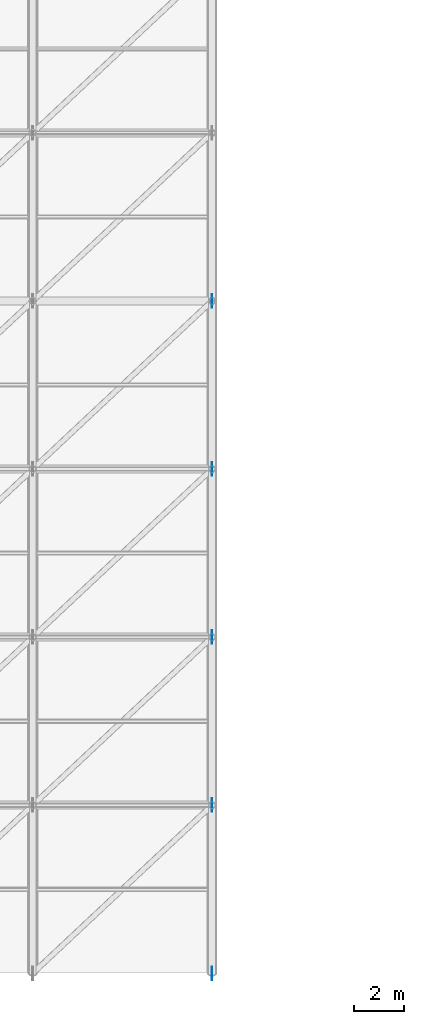
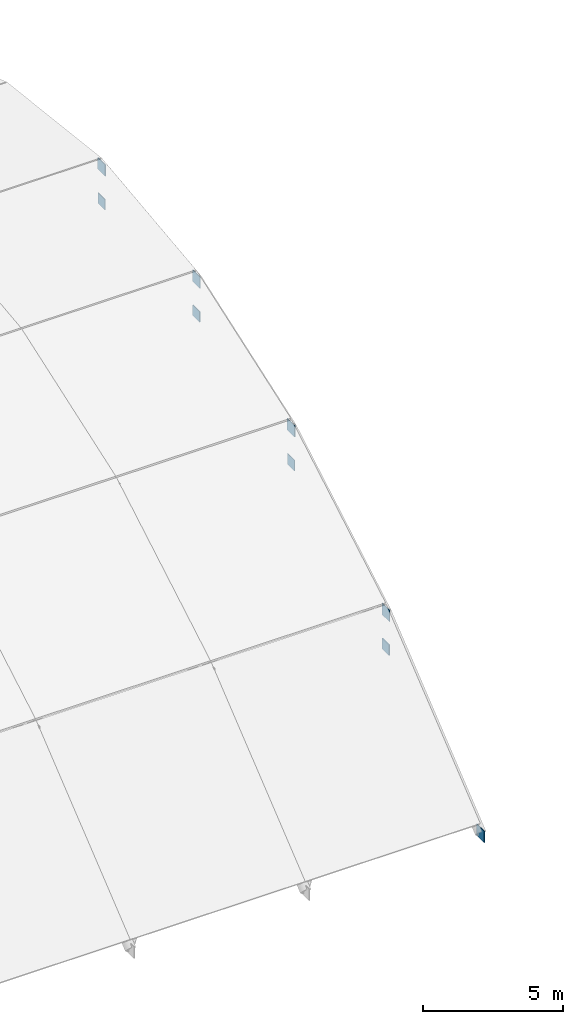
# One storey, part 62 of 72: 9 plates.
"""IFC4 building model written with IfcOpenShell, lengths in metres."""

import ifcopenshell
import ifcopenshell.guid

model = None  # the IFC model being written
_history = None  # IfcOwnerHistory: only IFC2X3 demands one
_inside = {}  # id of a spatial element -> (the spatial element, [elements in it])
_under = {}  # id of a project, library or spatial element -> (it, [spatial elements below it])
_declared = {}  # id of a project -> (the project, [libraries it declares])
_typed = {}  # id of a type object -> (the type object, [elements of that type])
_made_of = {}  # id of a material, layer set ... -> (it, [elements and type objects made of it])


def new_model(schema):
    """Start an empty IFC model of exactly this schema.

    Asked for "IFC4X3", IfcOpenShell would pick the latest addendum, in which some entities
    have other attributes; the version numbers below select the first issue.
    IFC2X3 requires an IfcOwnerHistory on every rooted entity: one is made here for all.
    """
    global model, _history
    if schema == "IFC4X3":
        model = ifcopenshell.file(schema_version=(4, 3, 0, 0))
    else:
        model = ifcopenshell.file(schema=schema)
    _inside.clear()
    _under.clear()
    _declared.clear()
    _typed.clear()
    _made_of.clear()
    _history = None
    if model.schema == "IFC2X3":
        org = make("IfcOrganization", Name="unknown")
        user = make(
            "IfcPersonAndOrganization",
            ThePerson=make("IfcPerson", FamilyName="unknown"),
            TheOrganization=org,
        )
        app = make(
            "IfcApplication",
            ApplicationDeveloper=org,
            Version="unknown",
            ApplicationFullName="unknown",
            ApplicationIdentifier="unknown",
        )
        _history = make(
            "IfcOwnerHistory",
            OwningUser=user,
            OwningApplication=app,
            ChangeAction="ADDED",
            CreationDate=0,
        )
    return model


def make(cls, **values):
    """One entity of the class cls with the attributes given. An attribute that is None is left unset."""
    return model.create_entity(
        cls, **{name: value for name, value in values.items() if value is not None}
    )


def rooted(cls, **values):
    """An entity with a GlobalId (a new one), such as an element, a storey or a relation."""
    return make(cls, GlobalId=ifcopenshell.guid.new(), OwnerHistory=_history, **values)


def si_unit(unit_type, name, prefix=None):
    """IfcSIUnit, for example si_unit("LENGTHUNIT", "METRE", prefix="MILLI")."""
    return make("IfcSIUnit", UnitType=unit_type, Prefix=prefix, Name=name)


def assignment(units):
    """IfcUnitAssignment: the units of a project."""
    return None if units is None else make("IfcUnitAssignment", Units=units)


def point(xyz):
    """IfcCartesianPoint."""
    return None if xyz is None else make("IfcCartesianPoint", Coordinates=xyz)


def direction(xyz):
    """IfcDirection."""
    return None if xyz is None else make("IfcDirection", DirectionRatios=xyz)


def frame(location, z_axis=None, x_axis=None):
    """IfcAxis2Placement3D, a coordinate frame: its origin and axes. An axis left out is left unset."""
    return make(
        "IfcAxis2Placement3D",
        Location=point(location),
        Axis=direction(z_axis),
        RefDirection=direction(x_axis),
    )


def frame_2d(location, x_axis=None):
    """IfcAxis2Placement2D, a coordinate frame in the plane: its origin and x axis."""
    return make(
        "IfcAxis2Placement2D", Location=point(location), RefDirection=direction(x_axis)
    )


def origin():
    """The frame at (0, 0, 0) with its axes left unset."""
    return frame((0.0, 0.0, 0.0))


def origin_2d():
    """The frame at (0, 0) in the plane with its x axis left unset."""
    return frame_2d((0.0, 0.0))


def place(relative_to, where):
    """IfcLocalPlacement: puts the frame where relative to a parent placement (None: the world)."""
    return make(
        "IfcLocalPlacement", PlacementRelTo=relative_to, RelativePlacement=where
    )


def context(
    kind, dimensions, precision=None, world=None, true_north=None, identifier=None
):
    """IfcGeometricRepresentationContext, for example the 3D "Model" context."""
    return make(
        "IfcGeometricRepresentationContext",
        ContextIdentifier=identifier,
        ContextType=kind,
        CoordinateSpaceDimension=dimensions,
        Precision=precision,
        WorldCoordinateSystem=world,
        TrueNorth=true_north,
    )


def subcontext(parent, identifier, kind, view, scale=None):
    """IfcGeometricRepresentationSubContext, for example "Body" below "Model"."""
    return make(
        "IfcGeometricRepresentationSubContext",
        ContextIdentifier=identifier,
        ContextType=kind,
        ParentContext=parent,
        TargetScale=scale,
        TargetView=view,
    )


def project(units=None, contexts=None):
    """IfcProject with its units and contexts."""
    return rooted(
        "IfcProject",
        Name="project",
        RepresentationContexts=contexts,
        UnitsInContext=assignment(units),
    )


def spatial(cls, under=None, at=None, **own):
    """A site, building, storey or space (cls), placed at a placement, below another one or the project."""
    s = rooted(cls, ObjectPlacement=at, **own)
    if under is not None:
        _under.setdefault(under.id(), (under, []))[1].append(s)
    return s


def profile(cls, at=None, kind="AREA", **sizes):
    """A parametric profile (cls). Its sizes go by their IFC names, for example OverallWidth=200.0."""
    return make(cls, ProfileType=kind, Position=at, **sizes)


def rectangle(**sizes):
    """IfcRectangleProfileDef."""
    return profile("IfcRectangleProfileDef", **sizes)


def extrude(swept, where, along, depth):
    """IfcExtrudedAreaSolid: the profile swept, set in the frame where, extruded along a direction by depth."""
    return make(
        "IfcExtrudedAreaSolid",
        SweptArea=swept,
        Position=where,
        ExtrudedDirection=direction(along),
        Depth=depth,
    )


def shape(context_of_items, identifier, shape_type, items):
    """IfcShapeRepresentation: the items that make up one representation, for example the "Body"."""
    return make(
        "IfcShapeRepresentation",
        ContextOfItems=context_of_items,
        RepresentationIdentifier=identifier,
        RepresentationType=shape_type,
        Items=items,
    )


def material(Name=None, Category=None):
    """IfcMaterial."""
    return make("IfcMaterial", Name=Name, Category=Category)


def layer(
    of_material, thickness, ventilated=None, Name=None, Category=None, Priority=None
):
    """IfcMaterialLayer: one layer of a wall or slab, of a material (None: an air gap)."""
    return make(
        "IfcMaterialLayer",
        Material=of_material,
        LayerThickness=thickness,
        IsVentilated=ventilated,
        Name=Name,
        Category=Category,
        Priority=Priority,
    )


def layer_set(layers, Name=None):
    """IfcMaterialLayerSet."""
    return make("IfcMaterialLayerSet", MaterialLayers=layers, LayerSetName=Name)


def made_of(thing, what):
    """Note that an element or type object is made of a material, layer set ...; save() writes the relation."""
    if what is not None:
        _made_of.setdefault(what.id(), (what, []))[1].append(thing)
    return thing


def type_object(cls, material=None, **own):
    """A type object (cls), such as IfcWallType, which elements share."""
    return made_of(rooted(cls, **own), material)


def element(
    cls,
    number,
    at=None,
    inside=None,
    cuts=None,
    type_object=None,
    material=None,
    context=None,
    identifier="Body",
    shape_type=None,
    held_by="IfcProductDefinitionShape",
    body=None,
    shapes=None,
    **own,
):
    """One element of the class cls, such as IfcWall. Its Tag is "e" and its number.

    at: its placement. inside: the storey or other place that contains it. cuts: it is an
    opening in that element (IfcRelVoidsElement). A single representation is given by context,
    identifier, shape_type and body (its items); several are given by shapes. held_by: the class
    of the entity that holds the representations. save() writes the other relations.
    """
    e = rooted(cls, Tag="e%d" % number, ObjectPlacement=at, **own)
    if body is not None:
        shapes = [shape(context, identifier, shape_type, body)]
    if shapes is not None:
        e.Representation = make(held_by, Representations=shapes)
    if inside is not None:
        _inside.setdefault(inside.id(), (inside, []))[1].append(e)
    if cuts is not None:
        rooted(
            "IfcRelVoidsElement", RelatingBuildingElement=cuts, RelatedOpeningElement=e
        )
    if type_object is not None:
        _typed.setdefault(type_object.id(), (type_object, []))[1].append(e)
    return made_of(e, material)


def aggregate(whole, parts):
    """IfcRelAggregates: a whole, such as a stair, and the parts it consists of."""
    return rooted("IfcRelAggregates", RelatingObject=whole, RelatedObjects=parts)


def save(model, path):
    """Write the relations noted so far, then the file.

    IfcRelAggregates (storeys below a building ...), IfcRelContainedInSpatialStructure (elements
    in a storey), IfcRelDefinesByType, IfcRelAssociatesMaterial and IfcRelDeclares: one each for
    every whole, place, type object, material and project.
    """
    for whole, parts in _under.values():
        aggregate(whole, parts)
    for where, things in _inside.values():
        rooted(
            "IfcRelContainedInSpatialStructure",
            RelatedElements=things,
            RelatingStructure=where,
        )
    for kind, things in _typed.values():
        rooted("IfcRelDefinesByType", RelatedObjects=things, RelatingType=kind)
    for what, things in _made_of.values():
        rooted("IfcRelAssociatesMaterial", RelatedObjects=things, RelatingMaterial=what)
    for by, libraries in _declared.values():
        rooted("IfcRelDeclares", RelatingContext=by, RelatedDefinitions=libraries)
    model.write(path)


model = new_model("IFC4")

# Units and contexts
model_context = context("Model", 3, precision=1e-05, world=origin(), true_north=direction((0.0, 1.0)))
body_context = subcontext(model_context, "Body", "Model", "MODEL_VIEW")
ifc_project = project(units=[si_unit("LENGTHUNIT", "METRE"), si_unit("AREAUNIT", "SQUARE_METRE"), si_unit("VOLUMEUNIT", "CUBIC_METRE"), si_unit("PLANEANGLEUNIT", "RADIAN"), si_unit("MASSUNIT", "GRAM", prefix="KILO")], contexts=[model_context])

# Site, building, storey
site_placement = place(None, origin())
site = spatial("IfcSite", under=ifc_project, at=site_placement, CompositionType="ELEMENT")
building_placement = place(site_placement, origin())
building = spatial("IfcBuilding", under=site, at=building_placement, Name="Vaelcorin Mobility Hub", CompositionType="ELEMENT")
storey_placement = place(building_placement, frame((0.0, 0.0, 25.800048828125)))
storey = spatial("IfcBuildingStorey", under=building, at=storey_placement, Name="RF", CompositionType="ELEMENT", Elevation=25.800048828125)

# Plates
ifc_material = material(Name="Steel ASTM A572 Grade 50", Category="steel")
ifc_layer_1 = layer(ifc_material, 0.0400390625)
ifc_layer_set_1 = layer_set([ifc_layer_1], Name="Steel ASTM A572 Grade 50")
plate_type_1 = type_object("IfcPlateType", Name="PL-SN1", PredefinedType="USERDEFINED", material=ifc_layer_set_1)
plate_1_placement = place(storey_placement, frame((108.0, 12.75, -16.01806640625), z_axis=(0.0, 0.0, 1.0), x_axis=(1.0, 0.0, 0.0)))
element("IfcPlate", 1, at=plate_1_placement, inside=storey, type_object=plate_type_1, Name="Space-Frame Lower Node Gusset 11-1", ObjectType="GUSSET PLATE", PredefinedType="USERDEFINED", context=body_context, shape_type="SweptSolid", body=[
    extrude(rectangle(XDim=0.0400390625, YDim=0.5, at=origin_2d()), origin(), (0.0, 0.0, 1.0), 0.4599609375),
])
ifc_layer_2 = layer(ifc_material, 0.035888671875)
ifc_layer_set_2 = layer_set([ifc_layer_2], Name="Steel ASTM A572 Grade 50")
plate_type_2 = type_object("IfcPlateType", Name="PL-SN2", PredefinedType="USERDEFINED", material=ifc_layer_set_2)
plate_2_placement = place(storey_placement, frame((108.0, 6.0, -20.050048828125), z_axis=(0.0, 0.0, 1.0), x_axis=(1.0, 0.0, 0.0)))
element("IfcPlate", 2, at=plate_2_placement, inside=storey, type_object=plate_type_2, Name="Space-Frame Node Gusset SN2 11-0", ObjectType="GUSSET PLATE", PredefinedType="USERDEFINED", context=body_context, shape_type="SweptSolid", body=[
    extrude(rectangle(XDim=0.035888671875, YDim=0.5400390625, at=origin_2d()), origin(), (0.0, 0.0, 1.0), 0.5),
])
ifc_layer_3 = layer(ifc_material, 0.031982421875)
ifc_layer_set_3 = layer_set([ifc_layer_3], Name="Steel ASTM A572 Grade 50")
plate_type_3 = type_object("IfcPlateType", Name="PL-SN3", PredefinedType="USERDEFINED", material=ifc_layer_set_3)
plate_3_placement = place(storey_placement, frame((108.0, 33.0, -7.449951171875), z_axis=(0.0, 0.0, 1.0), x_axis=(1.0, 0.0, 0.0)))
element("IfcPlate", 3, at=plate_3_placement, inside=storey, type_object=plate_type_3, Name="Space-Frame Node Gusset SN3 11-4", ObjectType="GUSSET PLATE", PredefinedType="USERDEFINED", context=body_context, shape_type="SweptSolid", body=[
    extrude(rectangle(XDim=0.031982421875, YDim=0.5400390625, at=origin_2d()), origin(), (0.0, 0.0, 1.0), 0.5),
])
ifc_layer_4 = layer(ifc_material, 0.028076171875)
ifc_layer_set_4 = layer_set([ifc_layer_4], Name="Steel ASTM A572 Grade 50")
plate_type_4 = type_object("IfcPlateType", Name="PL-SN4", PredefinedType="USERDEFINED", material=ifc_layer_set_4)
for number, where, z_axis, x_axis, name in (
    (4, (108.0, 12.75, -14.5380859375), (0.0, 0.0, 1.0), (1.0, 0.0, 0.0), "Space-Frame Node Gusset SN4 11-1"),
    (5, (108.0, 19.5, -10.60009765625), (0.0, 0.0, 1.0), (1.0, 0.0, 0.0), "Space-Frame Node Gusset SN4 11-2"),
):
    element("IfcPlate", number, at=place(storey_placement, frame(where, z_axis=z_axis, x_axis=x_axis)), inside=storey, type_object=plate_type_4, Name=name, ObjectType="GUSSET PLATE", PredefinedType="USERDEFINED", context=body_context, shape_type="SweptSolid", body=[
        extrude(rectangle(XDim=0.028076171875, YDim=0.5400390625, at=origin_2d()), origin(), (0.0, 0.0, 1.0), 0.5),
    ])
plate_4_placement = place(storey_placement, frame((108.0, 19.5, -12.080078125), z_axis=(0.0, 0.0, 1.0), x_axis=(1.0, 0.0, 0.0)))
element("IfcPlate", 6, at=plate_4_placement, inside=storey, type_object=plate_type_4, Name="Space-Frame Lower Node Gusset 11-2", ObjectType="GUSSET PLATE", PredefinedType="USERDEFINED", context=body_context, shape_type="SweptSolid", body=[
    extrude(rectangle(XDim=0.028076171875, YDim=0.5, at=origin_2d()), origin(), (0.0, 0.0, 1.0), 0.4599609375),
])
plate_5_placement = place(storey_placement, frame((108.0, 26.25, -8.238037109375), z_axis=(0.0, 0.0, 1.0), x_axis=(1.0, 0.0, 0.0)))
element("IfcPlate", 7, at=plate_5_placement, inside=storey, type_object=plate_type_4, Name="Space-Frame Node Gusset SN4 11-3", ObjectType="GUSSET PLATE", PredefinedType="USERDEFINED", context=body_context, shape_type="SweptSolid", body=[
    extrude(rectangle(XDim=0.028076171875, YDim=0.5400390625, at=origin_2d()), origin(), (0.0, 0.0, 1.0), 0.5),
])
for number, where, z_axis, x_axis, name in (
    (8, (108.0, 26.25, -9.718017578125), (0.0, 0.0, 1.0), (1.0, 0.0, 0.0), "Space-Frame Lower Node Gusset 11-3"),
    (9, (108.0, 33.0, -8.929931640625), (0.0, 0.0, 1.0), (1.0, 0.0, 0.0), "Space-Frame Lower Node Gusset 11-4"),
):
    element("IfcPlate", number, at=place(storey_placement, frame(where, z_axis=z_axis, x_axis=x_axis)), inside=storey, type_object=plate_type_4, Name=name, ObjectType="GUSSET PLATE", PredefinedType="USERDEFINED", context=body_context, shape_type="SweptSolid", body=[
        extrude(rectangle(XDim=0.028076171875, YDim=0.5, at=origin_2d()), origin(), (0.0, 0.0, 1.0), 0.4599609375),
    ])

save(model, "model.ifc")
